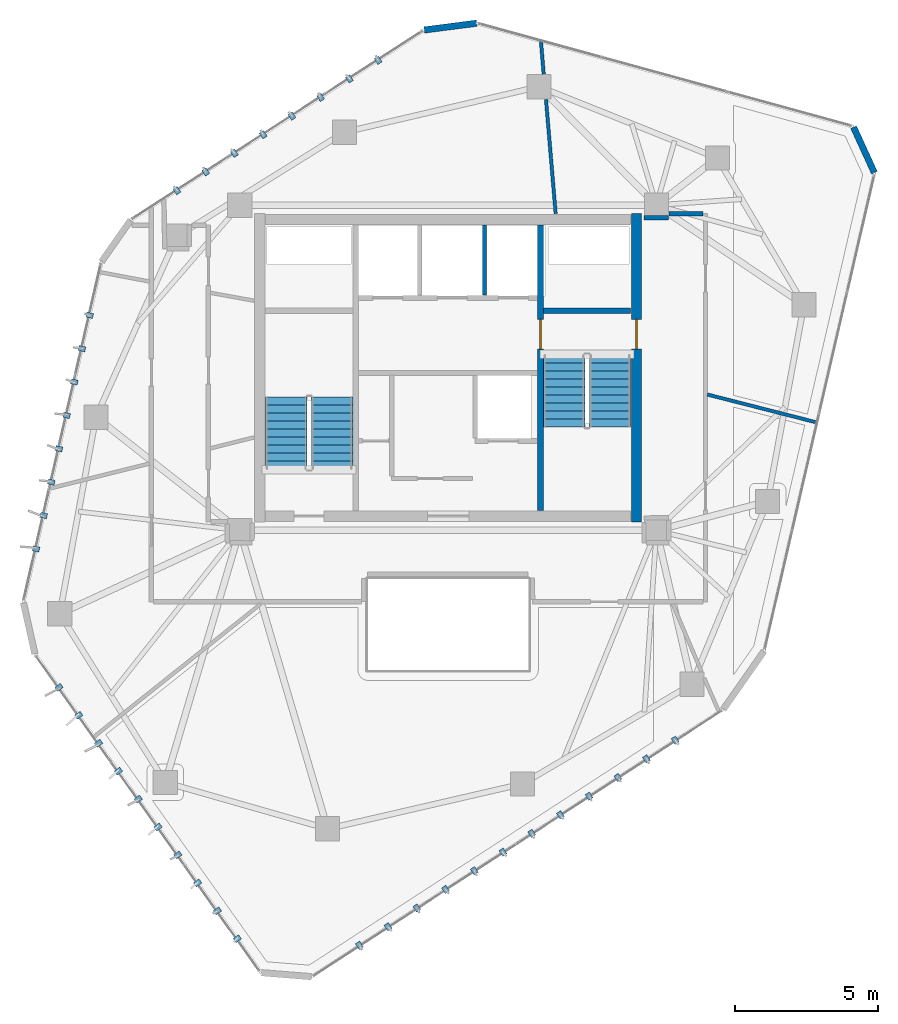
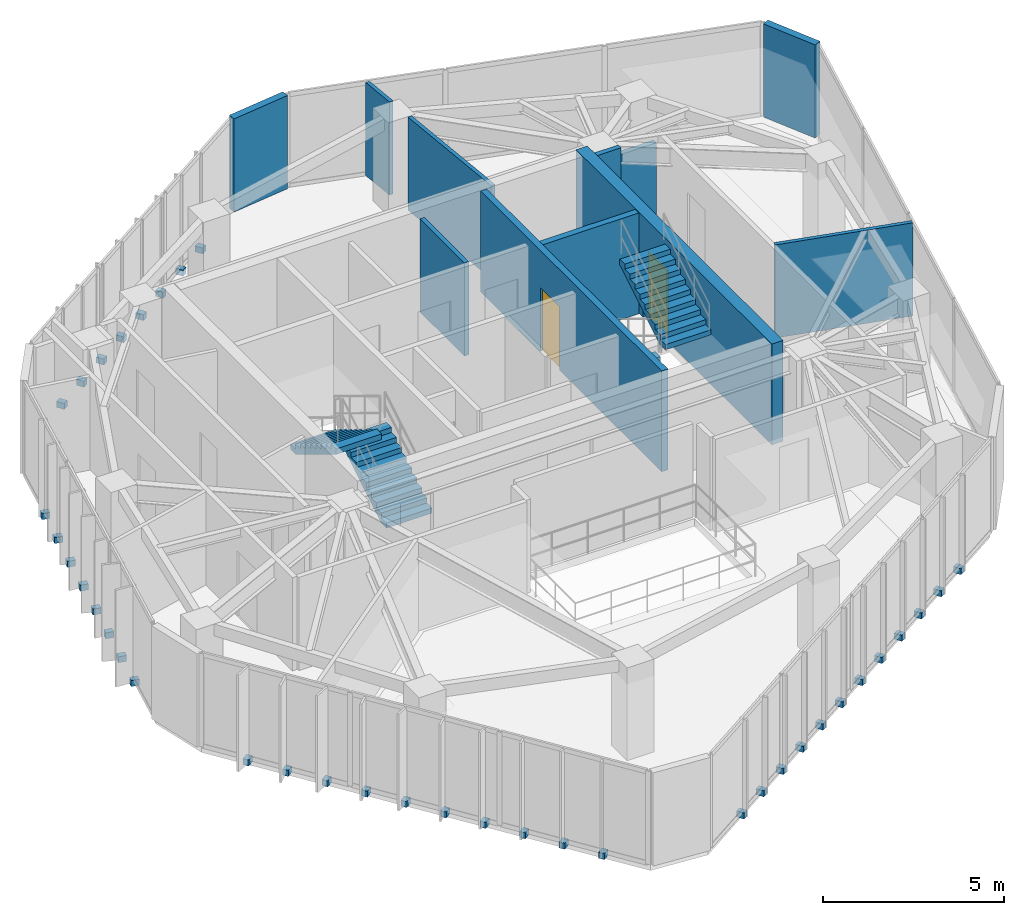
# One storey, part 18 of 20: 38 discrete accessories, 11 walls, 4 stair flights, 2 doors, 2 openings, 2 elements without a shape of their own.
"""IFC4 building model written with IfcOpenShell, lengths in metres."""

from ifc_helpers import new_model, si_unit, direction, frame, frame_2d, origin, origin_2d, place, context, subcontext, project, spatial, polyline, rectangle, outline, extrude, source, transform, mapped, material, layer, layer_set, type_object, type_shapes, element, fill, aggregate, save


model = new_model("IFC4")

# Units and contexts
model_context = context("Model", 3, precision=1e-05, world=origin(), true_north=direction((0.0, 1.0)))
body_context = subcontext(model_context, "Body", "Model", "MODEL_VIEW")
ifc_project = project(units=[si_unit("LENGTHUNIT", "METRE"), si_unit("AREAUNIT", "SQUARE_METRE"), si_unit("VOLUMEUNIT", "CUBIC_METRE"), si_unit("PLANEANGLEUNIT", "RADIAN"), si_unit("MASSUNIT", "GRAM", prefix="KILO")], contexts=[model_context])

# Site, building, storey
site_placement = place(None, origin())
site = spatial("IfcSite", under=ifc_project, at=site_placement, CompositionType="ELEMENT")
building_placement = place(site_placement, origin())
building = spatial("IfcBuilding", under=site, at=building_placement, Name="Talar Marvaseh", CompositionType="ELEMENT")
storey_placement = place(building_placement, frame((0.0, 0.0, 247.60009765625)))
storey = spatial("IfcBuildingStorey", under=building, at=storey_placement, Name="L65", CompositionType="ELEMENT", Elevation=247.60009765625)

# Walls
ifc_material_1 = material(Name="Precast concrete C45/55", Category="concrete")
ifc_layer_1 = layer(ifc_material_1, 0.22509765625)
ifc_layer_set_1 = layer_set([ifc_layer_1], Name="Precast concrete C45/55")
wall_type_1 = type_object("IfcWallType", Name="Chamfered Hexagonal Corner Pier Wall Z4 225", PredefinedType="SOLIDWALL", material=ifc_layer_set_1)
wall_1_placement = place(storey_placement, frame((25.1591796875, 43.038818359375, 0.0), z_axis=(0.0, 0.0, 1.0), x_axis=(0.991730423019, 0.128338490171, 0.0)))
element("IfcWall", 1, at=wall_1_placement, inside=storey, type_object=wall_type_1, Name="L65 Chamfered Corner Limestone Pier 4", PredefinedType="SOLIDWALL", context=body_context, shape_type="SweptSolid", body=[
    extrude(rectangle(XDim=1.856689453125, YDim=0.22509765625, at=frame_2d((0.92822265625, 0.0))), origin(), (0.0, 0.0, 1.0), 3.139892578125),
])
wall_2_placement = place(storey_placement, frame((40.211181640625, 39.634033203125, 0.0), z_axis=(0.0, 0.0, 1.0), x_axis=(0.415946832107, -0.909388933768, 0.0)))
element("IfcWall", 2, at=wall_2_placement, inside=storey, type_object=wall_type_1, Name="L65 Chamfered Corner Limestone Pier 5", PredefinedType="SOLIDWALL", context=body_context, shape_type="SweptSolid", body=[
    extrude(rectangle(XDim=1.7578125, YDim=0.22509765625, at=frame_2d((0.87890625, 0.0))), origin(), (0.0, 0.0, 1.0), 3.139892578125),
])
ifc_material_2 = material(Name="Gypsum Board Partition Assembly")
ifc_layer_2 = layer(ifc_material_2, 0.155029296875)
ifc_layer_set_2 = layer_set([ifc_layer_2], Name="Gypsum Board Partition Assembly")
wall_type_2 = type_object("IfcWallType", Name="Corridor Fire-Rated Acoustic Partition 155", PredefinedType="PARTITIONING", material=ifc_layer_set_2)
wall_3_placement = place(storey_placement, frame((32.8701171875, 36.464599609375, 0.0), z_axis=(0.0, 0.0, 1.0), x_axis=(0.999986873463, -0.005123758532, 0.0)))
element("IfcWall", 3, at=wall_3_placement, inside=storey, type_object=wall_type_2, Name="L65 Interior Partition Wall", PredefinedType="PARTITIONING", context=body_context, shape_type="SweptSolid", body=[
    extrude(rectangle(XDim=0.857666015625, YDim=0.155029296875, at=frame_2d((0.4287109375, 0.0))), origin(), (0.0, 0.0, 1.0), 3.139892578125),
])
wall_4_placement = place(storey_placement, frame((33.739990234375, 36.60009765625, 0.0), z_axis=(0.0, 0.0, 1.0), x_axis=(1.0, 0.0, 0.0)))
element("IfcWall", 4, at=wall_4_placement, inside=storey, type_object=wall_type_2, Name="L65 Interior Partition Wall", PredefinedType="PARTITIONING", context=body_context, shape_type="SweptSolid", body=[
    extrude(rectangle(XDim=1.196533203125, YDim=0.155029296875, at=frame_2d((0.59814453125, 0.0))), origin(), (0.0, 0.0, 1.0), 2.802001953125),
])
ifc_layer_3 = layer(ifc_material_2, 0.1201171875)
ifc_layer_set_3 = layer_set([ifc_layer_3], Name="Gypsum Board Partition Assembly")
wall_type_3 = type_object("IfcWallType", Name="Demountable Studio Room Partition 120", PredefinedType="PARTITIONING", material=ifc_layer_set_3)
wall_5_placement = place(storey_placement, frame((35.0830078125, 30.263916015625, 0.0), z_axis=(0.0, 0.0, 1.0), x_axis=(0.96890793322, -0.247421536942, 0.0)))
element("IfcWall", 5, at=wall_5_placement, inside=storey, type_object=wall_type_3, Name="L65 Interior Partition Wall", PredefinedType="PARTITIONING", context=body_context, shape_type="SweptSolid", body=[
    extrude(rectangle(XDim=3.947998046875, YDim=0.1201171875, at=frame_2d((1.97412109375, 0.0))), origin(), (0.0, 0.0, 1.0), 3.139892578125),
])
wall_6_placement = place(storey_placement, frame((29.77001953125, 36.60009765625, 0.0), z_axis=(0.0, 0.0, 1.0), x_axis=(-0.084506371621, 0.996422938895, 0.0)))
element("IfcWall", 6, at=wall_6_placement, inside=storey, type_object=wall_type_3, Name="L65 Interior Partition Wall", PredefinedType="PARTITIONING", context=body_context, shape_type="SweptSolid", body=[
    extrude(rectangle(XDim=4.0244140625, YDim=0.1201171875, at=frame_2d((2.01220703125, 0.0))), origin(), (0.0, 0.0, 1.0), 3.139892578125),
])
wall_7_placement = place(storey_placement, frame((29.35009765625, 41.489990234375, 0.0), z_axis=(0.0, 0.0, 1.0), x_axis=(-0.083010429656, 0.996548678474, 0.0)))
element("IfcWall", 7, at=wall_7_placement, inside=storey, type_object=wall_type_3, Name="L65 Interior Partition Wall", PredefinedType="PARTITIONING", context=body_context, shape_type="SweptSolid", body=[
    extrude(rectangle(XDim=1.15283203125, YDim=0.1201171875, at=frame_2d((0.576416015625, 0.0))), origin(), (0.0, 0.0, 1.0), 3.139892578125),
])
ifc_layer_4 = layer(ifc_material_1, 0.14501953125)
ifc_layer_set_4 = layer_set([ifc_layer_4], Name="Precast concrete C45/55")
wall_type_4 = type_object("IfcWallType", Name="Fire-Rated Lift Divider Wall 145", PredefinedType="SOLIDWALL", material=ifc_layer_set_4)
wall_8_placement = place(storey_placement, frame((27.280029296875, 33.743408203125, 0.0), z_axis=(0.0, 0.0, 1.0), x_axis=(0.0, 1.0, 0.0)))
element("IfcWall", 8, at=wall_8_placement, inside=storey, type_object=wall_type_4, Name="L65 FFL-2/SVL-1 Divider", PredefinedType="SOLIDWALL", context=body_context, shape_type="SweptSolid", body=[
    extrude(rectangle(XDim=2.45654296875, YDim=0.14501953125, at=frame_2d((1.228271484375, 0.0))), origin(), (0.0, 0.0, 1.0), 3.139892578125),
])

# Wall, opening, door
ifc_material_3 = material(Name="Concrete C50/60", Category="concrete")
ifc_layer_5 = layer(ifc_material_3, 0.199951171875)
ifc_layer_set_5 = layer_set([ifc_layer_5], Name="Concrete C50/60")
wall_type_5 = type_object("IfcWallType", Name="Stair Shaft Structural Concrete Shear Wall 200", PredefinedType="SHEAR", material=ifc_layer_set_5)
wall_9_placement = place(storey_placement, frame((29.239990234375, 26.199951171875, 0.0), z_axis=(0.0, 0.0, 1.0), x_axis=(0.0, 1.0, 0.0)))
wall_9 = element("IfcWall", 9, at=wall_9_placement, inside=storey, type_object=wall_type_5, Name="L65 Core East Stair Shear Wall", PredefinedType="SHEAR", context=body_context, shape_type="SweptSolid", body=[
    extrude(rectangle(XDim=10.0, YDim=0.199951171875, at=frame_2d((5.0, 0.0))), origin(), (0.0, 0.0, 1.0), 3.39990234375),
])
opening_1_placement = place(wall_9_placement, frame((5.64990234375, 0.0, 0.0)))
opening_1 = element("IfcOpeningElement", 10, at=opening_1_placement, cuts=wall_9, Name="Opening DR-ST105", PredefinedType="OPENING", context=body_context, shape_type="SweptSolid", body=[
    extrude(rectangle(XDim=1.050048828125, YDim=2.14990234375, at=frame_2d((0.52490234375, 1.074951171875))), frame((0.0, 0.10986328125, 0.0), z_axis=(0.0, -1.0, 0.0), x_axis=(1.0, 0.0, 0.0)), (0.0, 0.0, 1.0), 0.219970703125),
])
ifc_material_4 = material(Name="Fire-Rated Steel Door Leaf", Category="steel")
door_type = type_object("IfcDoorType", Name="Protected Exit Stair Fire Door 1050x2150", OperationType="NOTDEFINED", PredefinedType="DOOR", material=ifc_material_4)
shared_shape_1 = source(origin(), body_context, "Body", "SweptSolid", [
    extrude(rectangle(XDim=1.050048828125, YDim=2.14990234375, at=frame_2d((0.52490234375, 1.074951171875))), frame((0.0, 0.02490234375, 0.0), z_axis=(0.0, -1.0, 0.0), x_axis=(1.0, 0.0, 0.0)), (0.0, 0.0, 1.0), 0.050048828125),
])
type_shapes(door_type, [shared_shape_1])
door_1_placement = place(opening_1_placement, origin())
door_1 = element("IfcDoor", 11, at=door_1_placement, inside=storey, type_object=door_type, Name="L65 Firefighting Lobby to Stair ST-2 Door", OperationType="SINGLE_SWING_LEFT", OverallHeight=2.14990234375, OverallWidth=1.050048828125, PredefinedType="DOOR", context=body_context, shape_type="MappedRepresentation", body=[
    mapped(shared_shape_1, transform((0.0, 0.0, 0.0), x_axis=(1.0, 0.0, 0.0), y_axis=(0.0, 1.0, 0.0), z_axis=(0.0, 0.0, 1.0), scale=1.0)),
])
fill(opening_1, door_1)

# Wall
wall_10_placement = place(storey_placement, frame((29.340087890625, 33.199951171875, 0.0), z_axis=(0.0, 0.0, 1.0), x_axis=(1.0, 0.0, 0.0)))
element("IfcWall", 12, at=wall_10_placement, inside=storey, type_object=wall_type_5, Name="L65 Stair ST-2 North Shear Wall", PredefinedType="SHEAR", context=body_context, shape_type="SweptSolid", body=[
    extrude(rectangle(XDim=3.059814453125, YDim=0.199951171875, at=frame_2d((1.52978515625, 0.0))), origin(), (0.0, 0.0, 1.0), 3.39990234375),
])

# Wall, opening, door
ifc_layer_6 = layer(ifc_material_3, 0.360107421875)
ifc_layer_set_6 = layer_set([ifc_layer_6], Name="Concrete C50/60")
wall_type_6 = type_object("IfcWallType", Name="Upper Core Reinforced Concrete Shear Wall 360", PredefinedType="SHEAR", material=ifc_layer_set_6)
wall_11_placement = place(storey_placement, frame((32.60009765625, 36.60009765625, 0.0), z_axis=(0.0, 0.0, 1.0), x_axis=(0.0, -1.0, 0.0)))
wall_11 = element("IfcWall", 13, at=wall_11_placement, inside=storey, type_object=wall_type_6, Name="L65 East Core Shear Wall", PredefinedType="SHEAR", context=body_context, shape_type="SweptSolid", body=[
    extrude(rectangle(XDim=10.800048828125, YDim=0.360107421875, at=frame_2d((5.39990234375, 0.0))), origin(), (0.0, 0.0, 1.0), 3.39990234375),
])
opening_2_placement = place(wall_11_placement, frame((3.699951171875, 0.0, 0.0)))
opening_2 = element("IfcOpeningElement", 14, at=opening_2_placement, cuts=wall_11, Name="Opening DR-ST105", PredefinedType="OPENING", context=body_context, shape_type="SweptSolid", body=[
    extrude(rectangle(XDim=1.050048828125, YDim=2.14990234375, at=frame_2d((0.52490234375, 1.074951171875))), frame((0.0, 0.18994140625, 0.0), z_axis=(0.0, -1.0, 0.0), x_axis=(1.0, 0.0, 0.0)), (0.0, 0.0, 1.0), 0.380126953125),
])
door_2_placement = place(opening_2_placement, origin())
door_2 = element("IfcDoor", 15, at=door_2_placement, inside=storey, type_object=door_type, Name="L65 Stair ST-2 Corridor Exit Door", OperationType="SINGLE_SWING_LEFT", OverallHeight=2.14990234375, OverallWidth=1.050048828125, PredefinedType="DOOR", context=body_context, shape_type="MappedRepresentation", body=[
    mapped(shared_shape_1, transform((0.0, 0.0, 0.0), x_axis=(1.0, 0.0, 0.0), y_axis=(0.0, 1.0, 0.0), z_axis=(0.0, 0.0, 1.0), scale=1.0)),
])
fill(opening_2, door_2)

# Stair, stair flights
ifc_material_5 = material(Name="Concrete C40/50", Category="concrete")
stair_type = type_object("IfcStairType", Name="Reinforced Concrete High-Rise Exit Stair Type C", PredefinedType="HALF_TURN_STAIR", material=ifc_material_5)
stair_1_placement = place(storey_placement, origin())
stair_1 = element("IfcStair", 16, at=stair_1_placement, inside=storey, type_object=stair_type, Name="L65 Tower West Core Exit Stair", PredefinedType="HALF_TURN_STAIR")
ifc_layer_7 = layer(ifc_material_5, 0.159912109375)
ifc_layer_set_7 = layer_set([ifc_layer_7], Name="Concrete C40/50")
stair_flight_type = type_object("IfcStairFlightType", Name="Reinforced Concrete Straight Stair Flight 160", PredefinedType="STRAIGHT", material=ifc_layer_set_7)
stair_flight_1_placement = place(storey_placement, frame((21.93505859375, 27.64990234375, 0.0), z_axis=(0.0, 0.0, 1.0), x_axis=(0.0, 1.0, 0.0)))
stair_flight_1 = element("IfcStairFlight", 17, at=stair_flight_1_placement, type_object=stair_flight_type, Name="ST-1 flight 1", NumberOfRisers=10, NumberOfTreads=9, PredefinedType="STRAIGHT", RiserHeight=0.17, TreadLength=0.28, context=body_context, shape_type="SweptSolid", body=[
    extrude(outline(polyline([(0.0, 0.0), (0.0, 0.169921875), (0.280029296875, 0.169921875), (0.280029296875, 0.340087890625), (0.56005859375, 0.340087890625), (0.56005859375, 0.510009765625), (0.840087890625, 0.510009765625), (0.840087890625, 0.679931640625), (1.1201171875, 0.679931640625), (1.1201171875, 0.85009765625), (1.39990234375, 0.85009765625), (1.39990234375, 1.02001953125), (1.679931640625, 1.02001953125), (1.679931640625, 1.18994140625), (1.9599609375, 1.18994140625), (1.9599609375, 1.360107421875), (2.239990234375, 1.360107421875), (2.239990234375, 1.530029296875), (2.52001953125, 1.530029296875), (2.52001953125, 1.699951171875), (2.52001953125, 1.343017578125), (0.30810546875, 0.0), (0.0, 0.0)])), frame((0.0, 0.72509765625, 0.0), z_axis=(0.0, -1.0, 0.0), x_axis=(1.0, 0.0, 0.0)), (0.0, 0.0, 1.0), 1.449951171875),
])
stair_flight_2_placement = place(storey_placement, frame((20.324951171875, 30.169921875, 1.699951171875), z_axis=(0.0, 0.0, 1.0), x_axis=(0.0, -1.0, 0.0)))
stair_flight_2 = element("IfcStairFlight", 18, at=stair_flight_2_placement, type_object=stair_flight_type, Name="ST-1 flight 2", NumberOfRisers=10, NumberOfTreads=9, PredefinedType="STRAIGHT", RiserHeight=0.17, TreadLength=0.28, context=body_context, shape_type="SweptSolid", body=[
    extrude(outline(polyline([(0.0, 0.0), (0.0, 0.169921875), (0.280029296875, 0.169921875), (0.280029296875, 0.340087890625), (0.56005859375, 0.340087890625), (0.56005859375, 0.510009765625), (0.840087890625, 0.510009765625), (0.840087890625, 0.679931640625), (1.1201171875, 0.679931640625), (1.1201171875, 0.85009765625), (1.39990234375, 0.85009765625), (1.39990234375, 1.02001953125), (1.679931640625, 1.02001953125), (1.679931640625, 1.18994140625), (1.9599609375, 1.18994140625), (1.9599609375, 1.360107421875), (2.239990234375, 1.360107421875), (2.239990234375, 1.530029296875), (2.52001953125, 1.530029296875), (2.52001953125, 1.699951171875), (2.52001953125, 1.343017578125), (0.30810546875, 0.0), (0.0, 0.0)])), frame((0.0, 0.72509765625, 0.0), z_axis=(0.0, -1.0, 0.0), x_axis=(1.0, 0.0, 0.0)), (0.0, 0.0, 1.0), 1.449951171875),
])
aggregate(stair_1, [stair_flight_1, stair_flight_2])

stair_2_placement = place(storey_placement, origin())
stair_2 = element("IfcStair", 19, at=stair_2_placement, inside=storey, type_object=stair_type, Name="L65 Tower East Core Exit Stair", PredefinedType="HALF_TURN_STAIR")
stair_flight_3_placement = place(storey_placement, frame((30.06494140625, 31.64990234375, 0.0), z_axis=(0.0, 0.0, 1.0), x_axis=(0.0, -1.0, 0.0)))
stair_flight_3 = element("IfcStairFlight", 20, at=stair_flight_3_placement, type_object=stair_flight_type, Name="ST-2 flight 1", NumberOfRisers=10, NumberOfTreads=9, PredefinedType="STRAIGHT", RiserHeight=0.17, TreadLength=0.28, context=body_context, shape_type="SweptSolid", body=[
    extrude(outline(polyline([(0.0, 0.0), (0.0, 0.169921875), (0.280029296875, 0.169921875), (0.280029296875, 0.340087890625), (0.56005859375, 0.340087890625), (0.56005859375, 0.510009765625), (0.840087890625, 0.510009765625), (0.840087890625, 0.679931640625), (1.1201171875, 0.679931640625), (1.1201171875, 0.85009765625), (1.39990234375, 0.85009765625), (1.39990234375, 1.02001953125), (1.679931640625, 1.02001953125), (1.679931640625, 1.18994140625), (1.9599609375, 1.18994140625), (1.9599609375, 1.360107421875), (2.239990234375, 1.360107421875), (2.239990234375, 1.530029296875), (2.52001953125, 1.530029296875), (2.52001953125, 1.699951171875), (2.52001953125, 1.343017578125), (0.30810546875, 0.0), (0.0, 0.0)])), frame((0.0, 0.72509765625, 0.0), z_axis=(0.0, -1.0, 0.0), x_axis=(1.0, 0.0, 0.0)), (0.0, 0.0, 1.0), 1.449951171875),
])
stair_flight_4_placement = place(storey_placement, frame((31.675048828125, 29.1298828125, 1.699951171875), z_axis=(0.0, 0.0, 1.0), x_axis=(0.0, 1.0, 0.0)))
stair_flight_4 = element("IfcStairFlight", 21, at=stair_flight_4_placement, type_object=stair_flight_type, Name="ST-2 flight 2", NumberOfRisers=10, NumberOfTreads=9, PredefinedType="STRAIGHT", RiserHeight=0.17, TreadLength=0.28, context=body_context, shape_type="SweptSolid", body=[
    extrude(outline(polyline([(0.0, 0.0), (0.0, 0.169921875), (0.280029296875, 0.169921875), (0.280029296875, 0.340087890625), (0.56005859375, 0.340087890625), (0.56005859375, 0.510009765625), (0.840087890625, 0.510009765625), (0.840087890625, 0.679931640625), (1.1201171875, 0.679931640625), (1.1201171875, 0.85009765625), (1.39990234375, 0.85009765625), (1.39990234375, 1.02001953125), (1.679931640625, 1.02001953125), (1.679931640625, 1.18994140625), (1.9599609375, 1.18994140625), (1.9599609375, 1.360107421875), (2.239990234375, 1.360107421875), (2.239990234375, 1.530029296875), (2.52001953125, 1.530029296875), (2.52001953125, 1.699951171875), (2.52001953125, 1.343017578125), (0.30810546875, 0.0), (0.0, 0.0)])), frame((0.0, 0.72509765625, 0.0), z_axis=(0.0, -1.0, 0.0), x_axis=(1.0, 0.0, 0.0)), (0.0, 0.0, 1.0), 1.449951171875),
])
aggregate(stair_2, [stair_flight_3, stair_flight_4])

# Discrete accessories
ifc_material_6 = material(Name="Stainless Steel Grade 316", Category="steel")
discrete_accessory_type = type_object("IfcDiscreteAccessoryType", Name="Stainless Slab-Edge Fin Mounting Bracket", PredefinedType="BRACKET", material=ifc_material_6)
shared_shape_2 = source(origin(), body_context, "Body", "SweptSolid", [
    extrude(rectangle(XDim=0.239990234375, YDim=0.179931640625, at=origin_2d()), origin(), (0.0, 0.0, 1.0), 0.199951171875),
])
type_shapes(discrete_accessory_type, [shared_shape_2])
for number, where, z_axis, x_axis, name in (
    (22, (18.6103515625, 11.1884765625, -0.18017578125), (0.0, 0.0, 1.0), (-0.815633003474, -0.578569618666, 0.0), "L65 Vertical Fin Slab-Edge Bracket"),
    (23, (17.916259765625, 12.167236328125, -0.18017578125), (0.0, 0.0, 1.0), (-0.815633003474, -0.578569618666, 0.0), "L65 Vertical Fin Slab-Edge Bracket"),
    (24, (17.221923828125, 13.14599609375, -0.18017578125), (0.0, 0.0, 1.0), (-0.815633003474, -0.578569618666, 0.0), "L65 Vertical Fin Slab-Edge Bracket"),
    (25, (16.52783203125, 14.125, -0.18017578125), (0.0, 0.0, 1.0), (-0.815633003474, -0.578569618666, 0.0), "L65 Vertical Fin Slab-Edge Bracket"),
    (26, (15.83349609375, 15.103759765625, -0.18017578125), (0.0, 0.0, 1.0), (-0.815633003474, -0.578569618666, 0.0), "L65 Vertical Fin Slab-Edge Bracket"),
    (27, (15.139404296875, 16.08251953125, -0.18017578125), (0.0, 0.0, 1.0), (-0.815633003474, -0.578569618666, 0.0), "L65 Vertical Fin Slab-Edge Bracket"),
    (28, (14.4453125, 17.061279296875, -0.18017578125), (0.0, 0.0, 1.0), (-0.815633003474, -0.578569618666, 0.0), "L65 Vertical Fin Slab-Edge Bracket"),
    (29, (13.7509765625, 18.040283203125, -0.18017578125), (0.0, 0.0, 1.0), (-0.815633003474, -0.578569618666, 0.0), "L65 Vertical Fin Slab-Edge Bracket"),
    (30, (13.056640625, 19.01904296875, -0.18017578125), (0.0, 0.0, 1.0), (-0.815633003474, -0.578569618666, 0.0), "L65 Vertical Fin Slab-Edge Bracket"),
    (31, (12.362548828125, 19.997802734375, -0.18017578125), (0.0, 0.0, 1.0), (-0.815633003474, -0.578569618666, 0.0), "L65 Vertical Fin Slab-Edge Bracket"),
    (32, (11.556396484375, 24.852294921875, -0.18017578125), (0.0, 0.0, 1.0), (-0.974644167091, 0.223760469153, 0.0), "L65 Vertical Fin Slab-Edge Bracket"),
    (33, (11.82470703125, 26.021728515625, -0.18017578125), (0.0, 0.0, 1.0), (-0.974644167091, 0.223760469153, 0.0), "L65 Vertical Fin Slab-Edge Bracket"),
    (34, (12.093505859375, 27.19140625, -0.18017578125), (0.0, 0.0, 1.0), (-0.974644167091, 0.223760469153, 0.0), "L65 Vertical Fin Slab-Edge Bracket"),
    (35, (12.36181640625, 28.361083984375, -0.18017578125), (0.0, 0.0, 1.0), (-0.974644167091, 0.223760469153, 0.0), "L65 Vertical Fin Slab-Edge Bracket"),
    (36, (12.630615234375, 29.530517578125, -0.18017578125), (0.0, 0.0, 1.0), (-0.974644167091, 0.223760469153, 0.0), "L65 Vertical Fin Slab-Edge Bracket"),
    (37, (12.89892578125, 30.7001953125, -0.18017578125), (0.0, 0.0, 1.0), (-0.974644167091, 0.223760469153, 0.0), "L65 Vertical Fin Slab-Edge Bracket"),
    (38, (13.16748046875, 31.86962890625, -0.18017578125), (0.0, 0.0, 1.0), (-0.974644167091, 0.223760469153, 0.0), "L65 Vertical Fin Slab-Edge Bracket"),
    (39, (13.43603515625, 33.039306640625, -0.18017578125), (0.0, 0.0, 1.0), (-0.974644167091, 0.223760469153, 0.0), "L65 Vertical Fin Slab-Edge Bracket"),
    (40, (16.497802734375, 37.41162109375, -0.18017578125), (0.0, 0.0, 1.0), (-0.543613999406, 0.839335343977, 0.0), "L65 Vertical Fin Slab-Edge Bracket"),
    (41, (17.5048828125, 38.06396484375, -0.18017578125), (0.0, 0.0, 1.0), (-0.543613999406, 0.839335343977, 0.0), "L65 Vertical Fin Slab-Edge Bracket"),
    (42, (18.51220703125, 38.71630859375, -0.18017578125), (0.0, 0.0, 1.0), (-0.543613999406, 0.839335343977, 0.0), "L65 Vertical Fin Slab-Edge Bracket"),
    (43, (19.519287109375, 39.36865234375, -0.18017578125), (0.0, 0.0, 1.0), (-0.543613999406, 0.839335343977, 0.0), "L65 Vertical Fin Slab-Edge Bracket"),
    (44, (20.5263671875, 40.02099609375, -0.18017578125), (0.0, 0.0, 1.0), (-0.543613999406, 0.839335343977, 0.0), "L65 Vertical Fin Slab-Edge Bracket"),
    (45, (21.53369140625, 40.673583984375, -0.18017578125), (0.0, 0.0, 1.0), (-0.543613999406, 0.839335343977, 0.0), "L65 Vertical Fin Slab-Edge Bracket"),
    (46, (22.540771484375, 41.325927734375, -0.18017578125), (0.0, 0.0, 1.0), (-0.543613999406, 0.839335343977, 0.0), "L65 Vertical Fin Slab-Edge Bracket"),
    (47, (23.548095703125, 41.978271484375, -0.18017578125), (0.0, 0.0, 1.0), (-0.543613999406, 0.839335343977, 0.0), "L65 Vertical Fin Slab-Edge Bracket"),
    (48, (33.960693359375, 18.1474609375, -0.18017578125), (0.0, 0.0, 1.0), (0.544785402346, -0.838575497728, 0.0), "L65 Vertical Fin Slab-Edge Bracket"),
    (49, (32.954345703125, 17.49365234375, -0.18017578125), (0.0, 0.0, 1.0), (0.544785402346, -0.838575497728, 0.0), "L65 Vertical Fin Slab-Edge Bracket"),
    (50, (31.947998046875, 16.83984375, -0.18017578125), (0.0, 0.0, 1.0), (0.544785402346, -0.838575497728, 0.0), "L65 Vertical Fin Slab-Edge Bracket"),
    (51, (30.941650390625, 16.186279296875, -0.18017578125), (0.0, 0.0, 1.0), (0.544785402346, -0.838575497728, 0.0), "L65 Vertical Fin Slab-Edge Bracket"),
    (52, (29.935302734375, 15.532470703125, -0.18017578125), (0.0, 0.0, 1.0), (0.544785402346, -0.838575497728, 0.0), "L65 Vertical Fin Slab-Edge Bracket"),
    (53, (28.92919921875, 14.87890625, -0.18017578125), (0.0, 0.0, 1.0), (0.544785402346, -0.838575497728, 0.0), "L65 Vertical Fin Slab-Edge Bracket"),
    (54, (27.9228515625, 14.22509765625, -0.18017578125), (0.0, 0.0, 1.0), (0.544785402346, -0.838575497728, 0.0), "L65 Vertical Fin Slab-Edge Bracket"),
    (55, (26.91650390625, 13.5712890625, -0.18017578125), (0.0, 0.0, 1.0), (0.544785402346, -0.838575497728, 0.0), "L65 Vertical Fin Slab-Edge Bracket"),
    (56, (25.91015625, 12.91748046875, -0.18017578125), (0.0, 0.0, 1.0), (0.544785402346, -0.838575497728, 0.0), "L65 Vertical Fin Slab-Edge Bracket"),
    (57, (24.90380859375, 12.263916015625, -0.18017578125), (0.0, 0.0, 1.0), (0.544785402346, -0.838575497728, 0.0), "L65 Vertical Fin Slab-Edge Bracket"),
    (58, (23.897705078125, 11.610107421875, -0.18017578125), (0.0, 0.0, 1.0), (0.544785402346, -0.838575497728, 0.0), "L65 Vertical Fin Slab-Edge Bracket"),
    (59, (22.891357421875, 10.956298828125, -0.18017578125), (0.0, 0.0, 1.0), (0.544785402346, -0.838575497728, 0.0), "L65 Vertical Fin Slab-Edge Bracket"),
):
    element("IfcDiscreteAccessory", number, at=place(storey_placement, frame(where, z_axis=z_axis, x_axis=x_axis)), inside=storey, type_object=discrete_accessory_type, Name=name, PredefinedType="BRACKET", context=body_context, shape_type="MappedRepresentation", body=[
        mapped(shared_shape_2, transform((0.0, 0.0, 0.0), x_axis=(1.0, 0.0, 0.0), y_axis=(0.0, 1.0, 0.0), z_axis=(0.0, 0.0, 1.0), scale=1.0)),
    ])

save(model, "model.ifc")
